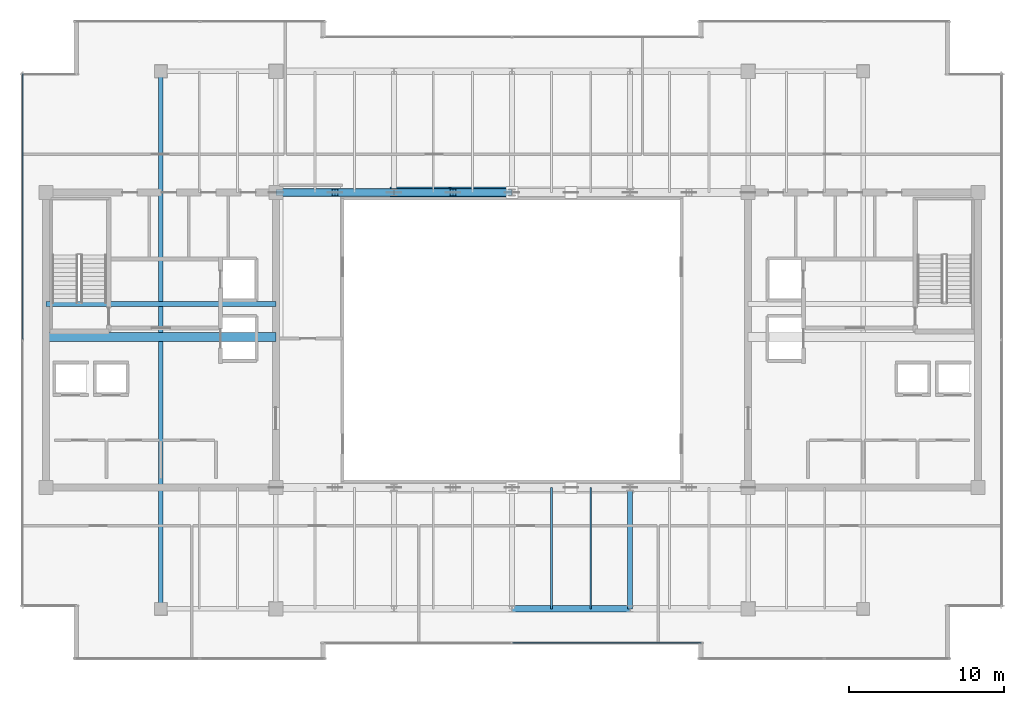
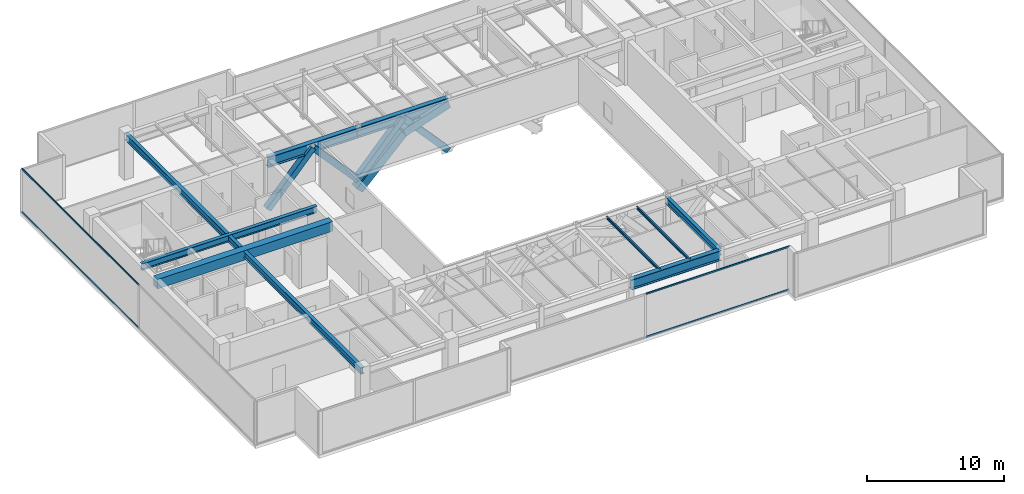
# One storey, part 10 of 32: 10 members, 9 beams, 2 elements without a shape of their own.
"""IFC4 building model written with IfcOpenShell, lengths in metres."""

from ifc_helpers import new_model, si_unit, direction, frame, origin, origin_2d, place, context, subcontext, project, spatial, rectangle, hollow_rectangle, i_section, extrude, source, transform, mapped, material, layer, layer_set, material_profile, profile_set, type_object, type_shapes, element, aggregate, save


model = new_model("IFC4")

# Units and contexts
model_context = context("Model", 3, precision=1e-05, world=origin(), true_north=direction((0.0, 1.0)))
body_context = subcontext(model_context, "Body", "Model", "MODEL_VIEW")
ifc_project = project(units=[si_unit("LENGTHUNIT", "METRE"), si_unit("AREAUNIT", "SQUARE_METRE"), si_unit("VOLUMEUNIT", "CUBIC_METRE"), si_unit("PLANEANGLEUNIT", "RADIAN"), si_unit("MASSUNIT", "GRAM", prefix="KILO")], contexts=[model_context])

# Site, building, storey
site_placement = place(None, origin())
site = spatial("IfcSite", under=ifc_project, at=site_placement, CompositionType="ELEMENT")
building_placement = place(site_placement, origin())
building = spatial("IfcBuilding", under=site, at=building_placement, Name="Haelvirn Gate Laboratories", CompositionType="ELEMENT")
storey_placement = place(building_placement, frame((0.0, 0.0, 314.39990234375)))
storey = spatial("IfcBuildingStorey", under=building, at=storey_placement, Name="L75", CompositionType="ELEMENT", Elevation=314.39990234375)

# Beams
ifc_material_1 = material(Name="Steel SM355", Category="steel")
ifc_material_profile_1 = material_profile(ifc_material_1, i_section(OverallWidth=0.300048828125, OverallDepth=0.587890625, WebThickness=0.011962890625, FlangeThickness=0.02001953125, at=origin_2d()), Name="H-588x300x12x20")
ifc_profile_set_1 = profile_set([ifc_material_profile_1], Name="Steel SM355")
beam_type_1 = type_object("IfcBeamType", Name="BM-G-588", PredefinedType="BEAM", material=ifc_profile_set_1)
shared_shape_1 = source(origin(), body_context, "Body", "SweptSolid", [
    extrude(i_section(OverallWidth=0.300048828125, OverallDepth=0.587890625, WebThickness=0.011962890625, FlangeThickness=0.02001953125, at=origin_2d()), origin(), (0.0, 0.0, 1.0), 14.800048828125),
])
beam_1_placement = place(storey_placement, frame((7.39990234375, 26.6201171875, 3.606201171875), z_axis=(1.0, 0.0, 0.0), x_axis=(0.0, 1.0, 0.0)))
element("IfcBeam", 1, at=beam_1_placement, inside=storey, type_object=beam_type_1, Name="L75 Stair ST1 Landing Header", PredefinedType="BEAM", context=body_context, shape_type="MappedRepresentation", body=[
    mapped(shared_shape_1, transform((0.0, 0.0, 0.0), scale=1.0)),
])
ifc_material_2 = material(Name="Steel SM420", Category="steel")
ifc_material_profile_2 = material_profile(ifc_material_2, i_section(OverallWidth=0.39990234375, OverallDepth=0.89990234375, WebThickness=0.01904296875, FlangeThickness=0.031982421875, at=origin_2d()), Name="H-900x400x19x32")
ifc_profile_set_2 = profile_set([ifc_material_profile_2], Name="Steel SM420")
beam_type_2 = type_object("IfcBeamType", Name="BM-TG-900", PredefinedType="BEAM", material=ifc_profile_set_2)
shared_shape_2 = source(origin(), body_context, "Body", "SweptSolid", [
    extrude(i_section(OverallWidth=0.39990234375, OverallDepth=0.89990234375, WebThickness=0.01904296875, FlangeThickness=0.031982421875, at=origin_2d()), origin(), (0.0, 0.0, 1.0), 7.60009765625),
])
for number, where, z_axis, x_axis, name in (
    (2, (37.39990234375, 7.0, 3.4501953125), (1.0, 0.0, 0.0), (0.0, 1.0, 0.0), "L75 Primary Girder Y7.0 (37.4-45.0)"),
    (3, (22.199951171875, 33.800048828125, 3.4501953125), (1.0, 0.0, 0.0), (0.0, 1.0, 0.0), "L75 Primary Girder Y33.8 (22.2-29.8)"),
):
    element("IfcBeam", number, at=place(storey_placement, frame(where, z_axis=z_axis, x_axis=x_axis)), inside=storey, type_object=beam_type_2, Name=name, PredefinedType="BEAM", context=body_context, shape_type="MappedRepresentation", body=[
        mapped(shared_shape_2, transform((0.0, 0.0, 0.0), scale=1.0)),
    ])
shared_shape_3 = source(origin(), body_context, "Body", "SweptSolid", [
    extrude(i_section(OverallWidth=0.39990234375, OverallDepth=0.89990234375, WebThickness=0.01904296875, FlangeThickness=0.031982421875, at=origin_2d()), origin(), (0.0, 0.0, 1.0), 7.599853515625),
])
type_shapes(beam_type_2, [shared_shape_2, shared_shape_3])
beam_2_placement = place(storey_placement, frame((29.800048828125, 33.800048828125, 3.4501953125), z_axis=(1.0, 0.0, 0.0), x_axis=(0.0, 1.0, 0.0)))
element("IfcBeam", 4, at=beam_2_placement, inside=storey, type_object=beam_type_2, Name="L75 Primary Girder Y33.8 (29.8-37.4)", PredefinedType="BEAM", context=body_context, shape_type="MappedRepresentation", body=[
    mapped(shared_shape_3, transform((0.0, 0.0, 0.0), scale=1.0)),
])
shared_shape_4 = source(origin(), body_context, "Body", "SweptSolid", [
    extrude(i_section(OverallWidth=0.300048828125, OverallDepth=0.587890625, WebThickness=0.011962890625, FlangeThickness=0.02001953125, at=origin_2d()), origin(), (0.0, 0.0, 1.0), 34.60009765625),
])
beam_3_placement = place(storey_placement, frame((14.800048828125, 7.0, 3.606201171875), z_axis=(0.0, 1.0, 0.0), x_axis=(-1.0, 0.0, 0.0)))
element("IfcBeam", 5, at=beam_3_placement, inside=storey, type_object=beam_type_1, Name="L75 Frame Girder X14.8 (7.0-41.6)", PredefinedType="BEAM", context=body_context, shape_type="MappedRepresentation", body=[
    mapped(shared_shape_4, transform((0.0, 0.0, 0.0), scale=1.0)),
])
shared_shape_5 = source(origin(), body_context, "Body", "SweptSolid", [
    extrude(i_section(OverallWidth=0.300048828125, OverallDepth=0.587890625, WebThickness=0.011962890625, FlangeThickness=0.02001953125, at=origin_2d()), origin(), (0.0, 0.0, 1.0), 7.800048828125),
])
type_shapes(beam_type_1, [shared_shape_1, shared_shape_4, shared_shape_5])
beam_4_placement = place(storey_placement, frame((45.0, 7.0, 3.606201171875), z_axis=(0.0, 1.0, 0.0), x_axis=(-1.0, 0.0, 0.0)))
element("IfcBeam", 6, at=beam_4_placement, inside=storey, type_object=beam_type_1, Name="L75 Frame Girder X45.0 (7.0-14.8)", PredefinedType="BEAM", context=body_context, shape_type="MappedRepresentation", body=[
    mapped(shared_shape_5, transform((0.0, 0.0, 0.0), scale=1.0)),
])
ifc_material_3 = material(Name="Concrete C50/60", Category="concrete")
ifc_material_profile_3 = material_profile(ifc_material_3, rectangle(XDim=0.60009765625, YDim=0.85009765625, at=origin_2d()), Name="RCB-600x850")
ifc_profile_set_3 = profile_set([ifc_material_profile_3], Name="Concrete C50/60")
beam_type_3 = type_object("IfcBeamType", Name="BM-RCB-850", PredefinedType="LINTEL", material=ifc_profile_set_3)
shared_shape_6 = source(origin(), body_context, "Body", "SweptSolid", [
    extrude(rectangle(XDim=0.60009765625, YDim=0.85009765625, at=origin_2d()), origin(), (0.0, 0.0, 1.0), 14.800048828125),
])
type_shapes(beam_type_3, [shared_shape_6])
beam_5_placement = place(storey_placement, frame((7.39990234375, 24.5, 3.47509765625), z_axis=(1.0, 0.0, 0.0), x_axis=(0.0, 1.0, 0.0)))
element("IfcBeam", 7, at=beam_5_placement, inside=storey, type_object=beam_type_3, Name="L75 West Core Coupling Beam", PredefinedType="LINTEL", context=body_context, shape_type="MappedRepresentation", body=[
    mapped(shared_shape_6, transform((0.0, 0.0, 0.0), scale=1.0)),
])
ifc_material_profile_4 = material_profile(ifc_material_1, i_section(OverallWidth=0.125, OverallDepth=0.25, WebThickness=0.006103515625, FlangeThickness=0.009033203125, at=origin_2d()), Name="H-250x125x6x9")
ifc_profile_set_4 = profile_set([ifc_material_profile_4], Name="Steel SM355")
beam_type_4 = type_object("IfcBeamType", Name="BM-J-250", PredefinedType="JOIST", material=ifc_profile_set_4)
shared_shape_7 = source(origin(), body_context, "Body", "SweptSolid", [
    extrude(i_section(OverallWidth=0.125, OverallDepth=0.25, WebThickness=0.006103515625, FlangeThickness=0.009033203125, at=origin_2d()), origin(), (0.0, 0.0, 1.0), 7.800048828125),
])
type_shapes(beam_type_4, [shared_shape_7])
for number, where, z_axis, x_axis, name in (
    (8, (39.929931640625, 7.0, 3.775146484375), (0.0, 1.0, 0.0), (-1.0, 0.0, 0.0), "L75 Composite Lab Joist South X39.93"),
    (9, (42.469970703125, 7.0, 3.775146484375), (0.0, 1.0, 0.0), (-1.0, 0.0, 0.0), "L75 Composite Lab Joist South X42.47"),
):
    element("IfcBeam", number, at=place(storey_placement, frame(where, z_axis=z_axis, x_axis=x_axis)), inside=storey, type_object=beam_type_4, Name=name, PredefinedType="JOIST", context=body_context, shape_type="MappedRepresentation", body=[
        mapped(shared_shape_7, transform((0.0, 0.0, 0.0), scale=1.0)),
    ])

# Members
ifc_material_profile_5 = material_profile(ifc_material_2, hollow_rectangle(XDim=0.699951171875, YDim=0.699951171875, WallThickness=0.031982421875, at=origin_2d()), Name="BOX-700x700x32")
ifc_profile_set_5 = profile_set([ifc_material_profile_5], Name="Steel SM420")
member_type_1 = type_object("IfcMemberType", Name="MEM-ARCH-RIB", PredefinedType="CHORD", material=ifc_profile_set_5)
shared_shape_8 = source(origin(), body_context, "Body", "SweptSolid", [
    extrude(hollow_rectangle(XDim=0.699951171875, YDim=0.699951171875, WallThickness=0.031982421875, at=origin_2d()), origin(), (0.0, 0.0, 1.0), 5.371826171875),
])
member_1_placement = place(storey_placement, frame((29.800048828125, 33.800048828125, -1.6123046875), z_axis=(0.707402133154, 0.0, 0.706811305802), x_axis=(0.0, 1.0, 0.0)))
element("IfcMember", 10, at=member_1_placement, inside=storey, type_object=member_type_1, Name="Parabolic Steel Arch Rib Y33.8 Seg 3", PredefinedType="CHORD", context=body_context, shape_type="MappedRepresentation", body=[
    mapped(shared_shape_8, transform((0.0, 0.0, 0.0), scale=1.0)),
])
shared_shape_9 = source(origin(), body_context, "Body", "SweptSolid", [
    extrude(hollow_rectangle(XDim=0.699951171875, YDim=0.699951171875, WallThickness=0.031982421875, at=origin_2d()), origin(), (0.0, 0.0, 1.0), 4.005126953125),
])
type_shapes(member_type_1, [shared_shape_8, shared_shape_9])
member_2_placement = place(storey_placement, frame((33.60009765625, 33.800048828125, 2.1845703125), z_axis=(0.94875642274, 0.0, 0.316008307343), x_axis=(0.0, 1.0, 0.0)))
element("IfcMember", 11, at=member_2_placement, inside=storey, type_object=member_type_1, Name="Parabolic Steel Arch Rib Y33.8 Seg 4", PredefinedType="CHORD", context=body_context, shape_type="MappedRepresentation", body=[
    mapped(shared_shape_9, transform((0.0, 0.0, 0.0), scale=1.0)),
])
ifc_material_profile_6 = material_profile(ifc_material_2, hollow_rectangle(XDim=0.5, YDim=0.5, WallThickness=0.02197265625, at=origin_2d()), Name="BOX-500x500x22")
ifc_profile_set_6 = profile_set([ifc_material_profile_6], Name="Steel SM420")
member_type_2 = type_object("IfcMemberType", Name="MEM-ARCH-WEB", PredefinedType="BRACE", material=ifc_profile_set_6)
shared_shape_10 = source(origin(), body_context, "Body", "SweptSolid", [
    extrude(hollow_rectangle(XDim=0.5, YDim=0.5, WallThickness=0.02197265625, at=origin_2d()), origin(), (0.0, 0.0, 1.0), 5.663818359375),
])
member_3_placement = place(storey_placement, frame((33.60009765625, 33.800048828125, 3.4501953125), z_axis=(0.670877205753, 0.0, -0.74156845591), x_axis=(0.0, 1.0, 0.0)))
element("IfcMember", 12, at=member_3_placement, inside=storey, type_object=member_type_2, Name="L75 Arch Truss Chevron Web Y33.8-2B", PredefinedType="BRACE", context=body_context, shape_type="MappedRepresentation", body=[
    mapped(shared_shape_10, transform((0.0, 0.0, 0.0), scale=1.0)),
])
shared_shape_11 = source(origin(), body_context, "Body", "SweptSolid", [
    extrude(hollow_rectangle(XDim=0.5, YDim=0.5, WallThickness=0.02197265625, at=origin_2d()), origin(), (0.0, 0.0, 1.0), 5.6640625),
])
type_shapes(member_type_2, [shared_shape_10, shared_shape_11])
for number, where, z_axis, x_axis, name in (
    (13, (22.199951171875, 33.800048828125, -0.75), (0.670900908871, 0.0, 0.741547011643), (0.0, 1.0, 0.0), "L75 Arch Truss Chevron Web Y33.8-1A"),
    (14, (26.0, 33.800048828125, 3.4501953125), (0.670900908871, 0.0, -0.741547011643), (0.0, 1.0, 0.0), "L75 Arch Truss Chevron Web Y33.8-1B"),
    (15, (29.800048828125, 33.800048828125, -0.75), (0.670900908871, 0.0, 0.741547011643), (0.0, 1.0, 0.0), "L75 Arch Truss Chevron Web Y33.8-2A"),
):
    element("IfcMember", number, at=place(storey_placement, frame(where, z_axis=z_axis, x_axis=x_axis)), inside=storey, type_object=member_type_2, Name=name, PredefinedType="BRACE", context=body_context, shape_type="MappedRepresentation", body=[
        mapped(shared_shape_11, transform((0.0, 0.0, 0.0), scale=1.0)),
    ])

# Curtain wall, members
ifc_material_4 = material(Name="Anodised bronze unitised aluminium & triple low-E glass", Category="aluminium")
ifc_layer = layer(ifc_material_4, 0.176025390625, Name="CW-SYS-4")
ifc_layer_set = layer_set([ifc_layer], Name="Anodised bronze unitised aluminium & triple low-E glass")
curtain_wall_type = type_object("IfcCurtainWallType", Name="CW-SYS-4", PredefinedType="NOTDEFINED", material=ifc_layer_set)
curtain_wall_1_placement = place(storey_placement, origin())
curtain_wall_1 = element("IfcCurtainWall", 16, at=curtain_wall_1_placement, inside=storey, type_object=curtain_wall_type, Name="L75 Unitised Curtain Wall CW-L75-P0-E02-1", PredefinedType="NOTDEFINED")
ifc_material_5 = material(Name="Extruded aluminium 6063-T6 (anodised bronze)", Category="aluminium")
ifc_material_profile_7 = material_profile(ifc_material_5, hollow_rectangle(XDim=0.06494140625, YDim=0.139892578125, WallThickness=0.00390625, at=origin_2d()), Name="CWT-140x65x4")
ifc_profile_set_7 = profile_set([ifc_material_profile_7], Name="Extruded aluminium 6063-T6 (anodised bronze)")
member_type_3 = type_object("IfcMemberType", Name="CWT-T140", PredefinedType="USERDEFINED", material=ifc_profile_set_7)
shared_shape_12 = source(origin(), body_context, "Body", "SweptSolid", [
    extrude(hollow_rectangle(XDim=0.06494140625, YDim=0.139892578125, WallThickness=0.00390625, at=origin_2d()), origin(), (0.0, 0.0, 1.0), 12.135009765625),
])
member_4_placement = place(storey_placement, frame((37.43505859375, 4.800048828125, 0.03271484375), z_axis=(1.0, 0.0, 0.0), x_axis=(0.0, 1.0, 0.0)))
member_4 = element("IfcMember", 17, at=member_4_placement, type_object=member_type_3, Name="CW4 transom 2.1", ObjectType="TRANSOM", PredefinedType="USERDEFINED", context=body_context, shape_type="MappedRepresentation", body=[
    mapped(shared_shape_12, transform((0.0, 0.0, 0.0), scale=1.0)),
])
member_5_placement = place(storey_placement, frame((37.43505859375, 4.800048828125, 3.86767578125), z_axis=(1.0, 0.0, 0.0), x_axis=(0.0, 1.0, 0.0)))
member_5 = element("IfcMember", 18, at=member_5_placement, type_object=member_type_3, Name="CW4 transom 2.2", ObjectType="TRANSOM", PredefinedType="USERDEFINED", context=body_context, shape_type="MappedRepresentation", body=[
    mapped(shared_shape_12, transform((0.0, 0.0, 0.0), scale=1.0)),
])
aggregate(curtain_wall_1, [member_4, member_5])

curtain_wall_2_placement = place(storey_placement, origin())
curtain_wall_2 = element("IfcCurtainWall", 19, at=curtain_wall_2_placement, inside=storey, type_object=curtain_wall_type, Name="L75 Unitised Curtain Wall CW-L75-P0-E17", PredefinedType="NOTDEFINED")
shared_shape_13 = source(origin(), body_context, "Body", "SweptSolid", [
    extrude(hollow_rectangle(XDim=0.06494140625, YDim=0.139892578125, WallThickness=0.00390625, at=origin_2d()), origin(), (0.0, 0.0, 1.0), 17.094970703125),
])
type_shapes(member_type_3, [shared_shape_12, shared_shape_13])
member_6_placement = place(storey_placement, frame((5.89990234375, 41.429931640625, 0.03271484375), z_axis=(0.0, -1.0, 0.0), x_axis=(1.0, 0.0, 0.0)))
member_6 = element("IfcMember", 20, at=member_6_placement, type_object=member_type_3, Name="CW4 transom 1.1", ObjectType="TRANSOM", PredefinedType="USERDEFINED", context=body_context, shape_type="MappedRepresentation", body=[
    mapped(shared_shape_13, transform((0.0, 0.0, 0.0), scale=1.0)),
])
member_7_placement = place(storey_placement, frame((5.89990234375, 41.429931640625, 3.86767578125), z_axis=(0.0, -1.0, 0.0), x_axis=(1.0, 0.0, 0.0)))
member_7 = element("IfcMember", 21, at=member_7_placement, type_object=member_type_3, Name="CW4 transom 1.2", ObjectType="TRANSOM", PredefinedType="USERDEFINED", context=body_context, shape_type="MappedRepresentation", body=[
    mapped(shared_shape_13, transform((0.0, 0.0, 0.0), scale=1.0)),
])
aggregate(curtain_wall_2, [member_6, member_7])

save(model, "model.ifc")
